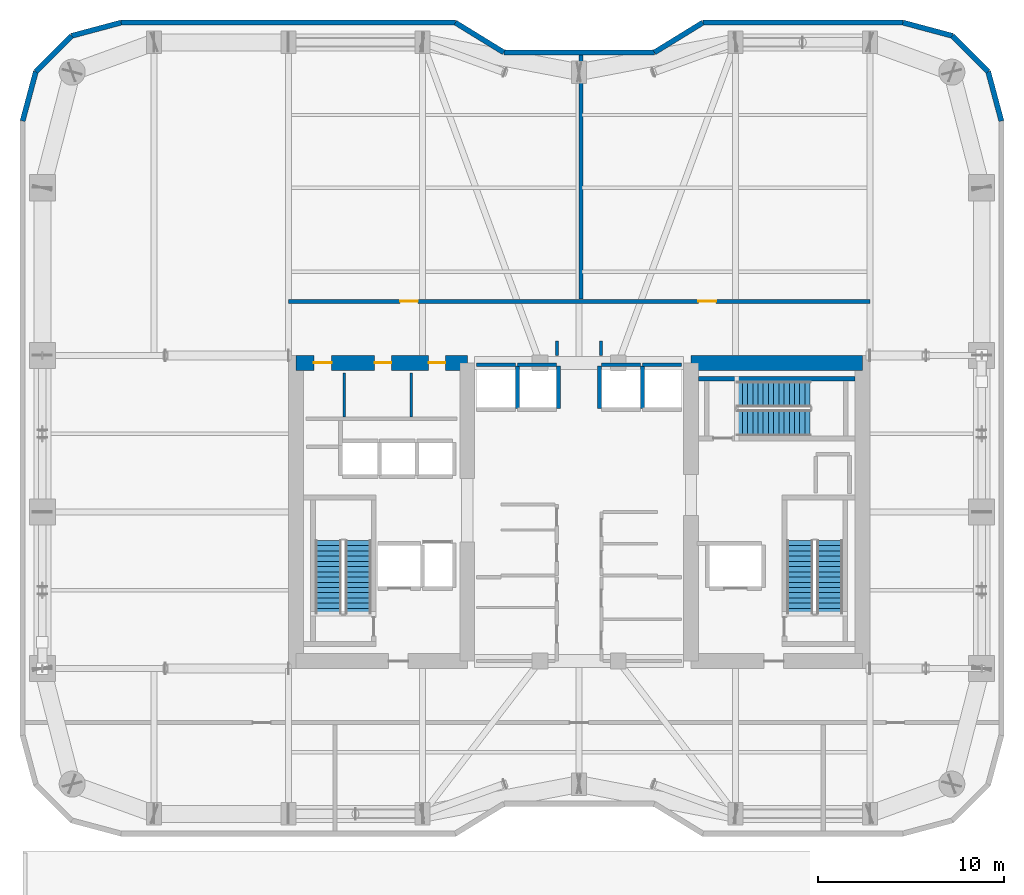
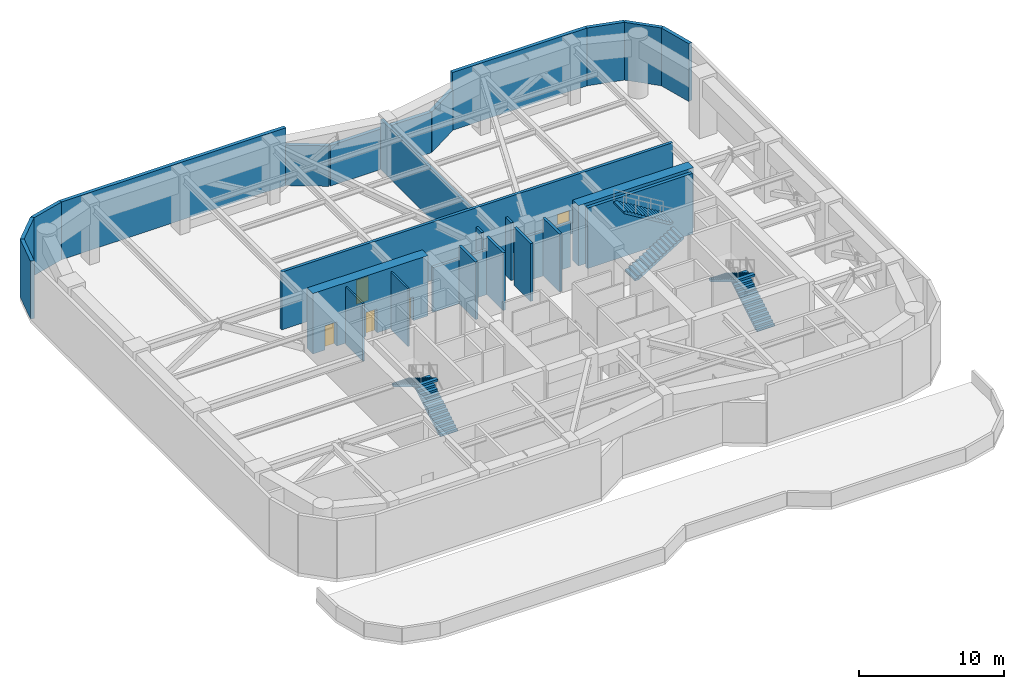
# One storey, part 14 of 16: 28 walls, 6 stair flights, 5 doors, 5 openings, 3 elements without a shape of their own.
"""IFC4 building model written with IfcOpenShell, lengths in metres."""

from ifc_helpers import new_model, si_unit, direction, frame, frame_2d, origin, place, context, subcontext, project, spatial, polyline, rectangle, outline, extrude, material, layer, layer_set, type_object, element, fill, aggregate, save


model = new_model("IFC4")

# Units and contexts
model_context = context("Model", 3, precision=1e-05, world=origin(), true_north=direction((0.0, 1.0)))
body_context = subcontext(model_context, "Body", "Model", "MODEL_VIEW")
ifc_project = project(units=[si_unit("LENGTHUNIT", "METRE"), si_unit("AREAUNIT", "SQUARE_METRE"), si_unit("VOLUMEUNIT", "CUBIC_METRE"), si_unit("PLANEANGLEUNIT", "RADIAN"), si_unit("MASSUNIT", "GRAM", prefix="KILO")], contexts=[model_context])

# Site, building, storey
site_placement = place(None, origin())
site = spatial("IfcSite", under=ifc_project, at=site_placement, CompositionType="ELEMENT")
building_placement = place(site_placement, origin())
building = spatial("IfcBuilding", under=site, at=building_placement, Name="Kiyonajd Concourse Tower", CompositionType="ELEMENT")
storey_placement = place(building_placement, frame((0.0, 0.0, 145.5)))
storey = spatial("IfcBuildingStorey", under=building, at=storey_placement, Name="L37", CompositionType="ELEMENT", Elevation=145.5)

# Wall, openings, doors
ifc_material_1 = material(Name="Concrete C70/85", Category="concrete")
ifc_layer_1 = layer(ifc_material_1, 0.800048828125)
ifc_layer_set_1 = layer_set([ifc_layer_1], Name="Concrete C70/85")
wall_type_1 = type_object("IfcWallType", Name="WL-CORE-800", PredefinedType="SHEAR", material=ifc_layer_set_1)
wall_1_placement = place(storey_placement, frame((32.800048828125, 44.0, 0.0), z_axis=(0.0, 0.0, 1.0), x_axis=(1.0, 0.0, 0.0)))
wall_1 = element("IfcWall", 1, at=wall_1_placement, inside=storey, type_object=wall_type_1, Name="L37 West Core North Shear Wall", PredefinedType="SHEAR", context=body_context, shape_type="SweptSolid", body=[
    extrude(rectangle(XDim=9.199951171875, YDim=0.800048828125, at=frame_2d((4.60009765625, 0.0))), origin(), (0.0, 0.0, 1.0), 5.10009765625),
])
opening_1_placement = place(wall_1_placement, frame((0.97509765625, 0.0, 0.0)))
opening_1 = element("IfcOpeningElement", 2, at=opening_1_placement, cuts=wall_1, Name="Opening DI1", PredefinedType="OPENING", context=body_context, shape_type="SweptSolid", body=[
    extrude(rectangle(XDim=0.949951171875, YDim=2.0400390625, at=frame_2d((0.47509765625, 1.02001953125))), frame((0.0, 0.409912109375, 0.0), z_axis=(0.0, -1.0, 0.0), x_axis=(1.0, 0.0, 0.0)), (0.0, 0.0, 1.0), 0.820068359375),
])
opening_2_placement = place(wall_1_placement, frame((4.22509765625, 0.0, 0.0)))
opening_2 = element("IfcOpeningElement", 3, at=opening_2_placement, cuts=wall_1, Name="Opening DI2", PredefinedType="OPENING", context=body_context, shape_type="SweptSolid", body=[
    extrude(rectangle(XDim=0.89990234375, YDim=2.02001953125, at=frame_2d((0.449951171875, 1.010009765625))), frame((0.0, 0.409912109375, 0.0), z_axis=(0.0, -1.0, 0.0), x_axis=(1.0, 0.0, 0.0)), (0.0, 0.0, 1.0), 0.820068359375),
])
opening_3_placement = place(wall_1_placement, frame((7.125, 0.0, 0.0)))
opening_3 = element("IfcOpeningElement", 4, at=opening_3_placement, cuts=wall_1, Name="Opening DI2", PredefinedType="OPENING", context=body_context, shape_type="SweptSolid", body=[
    extrude(rectangle(XDim=0.89990234375, YDim=2.02001953125, at=frame_2d((0.449951171875, 1.010009765625))), frame((0.0, 0.409912109375, 0.0), z_axis=(0.0, -1.0, 0.0), x_axis=(1.0, 0.0, 0.0)), (0.0, 0.0, 1.0), 0.820068359375),
])
ifc_material_2 = material(Name="Natural Oak Acoustic Timber Veneer", Category="wood")
door_type_1 = type_object("IfcDoorType", Name="DR-INT-900", OperationType="NOTDEFINED", PredefinedType="DOOR", material=ifc_material_2)
door_1_placement = place(opening_2_placement, origin())
door_1 = element("IfcDoor", 5, at=door_1_placement, inside=storey, type_object=door_type_1, Name="L37 Male Restroom Door", OperationType="SINGLE_SWING_RIGHT", OverallHeight=2.02001953125, OverallWidth=0.89990234375, PredefinedType="DOOR", context=body_context, shape_type="SweptSolid", body=[
    extrude(rectangle(XDim=0.89990234375, YDim=2.02001953125, at=frame_2d((0.449951171875, 1.010009765625))), frame((0.0, 0.02490234375, 0.0), z_axis=(0.0, -1.0, 0.0), x_axis=(1.0, 0.0, 0.0)), (0.0, 0.0, 1.0), 0.050048828125),
])
fill(opening_2, door_1)
door_2_placement = place(opening_3_placement, origin())
door_2 = element("IfcDoor", 6, at=door_2_placement, inside=storey, type_object=door_type_1, Name="L37 Female Restroom Door", OperationType="SINGLE_SWING_LEFT", OverallHeight=2.02001953125, OverallWidth=0.89990234375, PredefinedType="DOOR", context=body_context, shape_type="SweptSolid", body=[
    extrude(rectangle(XDim=0.89990234375, YDim=2.02001953125, at=frame_2d((0.449951171875, 1.010009765625))), frame((0.0, 0.02490234375, 0.0), z_axis=(0.0, -1.0, 0.0), x_axis=(1.0, 0.0, 0.0)), (0.0, 0.0, 1.0), 0.050048828125),
])
fill(opening_3, door_2)
door_type_2 = type_object("IfcDoorType", Name="DR-INT-950", OperationType="NOTDEFINED", PredefinedType="DOOR", material=ifc_material_2)
door_3_placement = place(opening_1_placement, origin())
door_3 = element("IfcDoor", 7, at=door_3_placement, inside=storey, type_object=door_type_2, Name="L37 Single User Accessible WC Door", OperationType="SINGLE_SWING_LEFT", OverallHeight=2.0400390625, OverallWidth=0.949951171875, PredefinedType="DOOR", context=body_context, shape_type="SweptSolid", body=[
    extrude(rectangle(XDim=0.949951171875, YDim=2.0400390625, at=frame_2d((0.47509765625, 1.02001953125))), frame((0.0, 0.02490234375, 0.0), z_axis=(0.0, -1.0, 0.0), x_axis=(1.0, 0.0, 0.0)), (0.0, 0.0, 1.0), 0.050048828125),
])
fill(opening_1, door_3)

# Walls
wall_2_placement = place(storey_placement, frame((54.0, 44.0, 0.0), z_axis=(0.0, 0.0, 1.0), x_axis=(1.0, 0.0, 0.0)))
element("IfcWall", 8, at=wall_2_placement, inside=storey, type_object=wall_type_1, Name="L37 East Core North Shear Wall", PredefinedType="SHEAR", context=body_context, shape_type="SweptSolid", body=[
    extrude(rectangle(XDim=9.199951171875, YDim=0.800048828125, at=frame_2d((4.60009765625, 0.0))), origin(), (0.0, 0.0, 1.0), 5.10009765625),
])
ifc_material_3 = material(Name="Precast concrete C50/60", Category="concrete")
ifc_layer_2 = layer(ifc_material_3, 0.280029296875)
ifc_layer_set_2 = layer_set([ifc_layer_2], Name="Precast concrete C50/60")
wall_type_2 = type_object("IfcWallType", Name="WL-EXT-280", PredefinedType="SOLIDWALL", material=ifc_layer_set_2)
wall_3_placement = place(storey_placement, frame((18.139892578125, 56.981689453125, 0.0), z_axis=(0.0, 0.0, 1.0), x_axis=(0.258672222976, 0.9659651552, 0.0)))
element("IfcWall", 9, at=wall_3_placement, inside=storey, type_object=wall_type_2, Name="L37 Exterior Concrete Frame Wall 01", PredefinedType="SOLIDWALL", context=body_context, shape_type="SweptSolid", body=[
    extrude(rectangle(XDim=2.739013671875, YDim=0.280029296875, at=frame_2d((1.36962890625, 0.0))), origin(), (0.0, 0.0, 1.0), 4.8798828125),
])
wall_4_placement = place(storey_placement, frame((18.848388671875, 59.62744140625, 0.0), z_axis=(0.0, 0.0, 1.0), x_axis=(0.707106781187, 0.707106781187, 0.0)))
element("IfcWall", 10, at=wall_4_placement, inside=storey, type_object=wall_type_2, Name="L37 Exterior Concrete Frame Wall 02", PredefinedType="SOLIDWALL", context=body_context, shape_type="SweptSolid", body=[
    extrude(rectangle(XDim=2.720947265625, YDim=0.280029296875, at=frame_2d((1.3603515625, 0.0))), origin(), (0.0, 0.0, 1.0), 4.8798828125),
])
wall_5_placement = place(storey_placement, frame((20.7724609375, 61.551513671875, 0.0), z_axis=(0.0, 0.0, 1.0), x_axis=(0.965971118627, 0.258649952598, 0.0)))
element("IfcWall", 11, at=wall_5_placement, inside=storey, type_object=wall_type_2, Name="L37 Exterior Concrete Frame Wall 03", PredefinedType="SOLIDWALL", context=body_context, shape_type="SweptSolid", body=[
    extrude(rectangle(XDim=2.7392578125, YDim=0.280029296875, at=frame_2d((1.36962890625, 0.0))), origin(), (0.0, 0.0, 1.0), 4.8798828125),
])
wall_6_placement = place(storey_placement, frame((23.41845703125, 62.260009765625, 0.0), z_axis=(0.0, 0.0, 1.0), x_axis=(1.0, 0.0, 0.0)))
element("IfcWall", 12, at=wall_6_placement, inside=storey, type_object=wall_type_2, Name="L37 Exterior Concrete Frame Wall 04", PredefinedType="SOLIDWALL", context=body_context, shape_type="SweptSolid", body=[
    extrude(rectangle(XDim=17.94189453125, YDim=0.280029296875, at=frame_2d((8.970947265625, 0.0))), origin(), (0.0, 0.0, 1.0), 4.8798828125),
])
wall_7_placement = place(storey_placement, frame((41.3603515625, 62.260009765625, 0.0), z_axis=(0.0, 0.0, 1.0), x_axis=(0.851652825334, -0.524106349037, 0.0)))
element("IfcWall", 13, at=wall_7_placement, inside=storey, type_object=wall_type_2, Name="L37 Exterior Concrete Frame Wall 05", PredefinedType="SOLIDWALL", context=body_context, shape_type="SweptSolid", body=[
    extrude(rectangle(XDim=3.052978515625, YDim=0.280029296875, at=frame_2d((1.5263671875, 0.0))), origin(), (0.0, 0.0, 1.0), 3.4150390625),
])
wall_8_placement = place(storey_placement, frame((43.96044921875, 60.659912109375, 0.0), z_axis=(0.0, 0.0, 1.0), x_axis=(1.0, 0.0, 0.0)))
element("IfcWall", 14, at=wall_8_placement, inside=storey, type_object=wall_type_2, Name="L37 Exterior Concrete Frame Wall 06", PredefinedType="SOLIDWALL", context=body_context, shape_type="SweptSolid", body=[
    extrude(rectangle(XDim=8.0791015625, YDim=0.280029296875, at=frame_2d((4.03955078125, 0.0))), origin(), (0.0, 0.0, 1.0), 3.4150390625),
])
wall_9_placement = place(storey_placement, frame((52.03955078125, 60.659912109375, 0.0), z_axis=(0.0, 0.0, 1.0), x_axis=(0.851652825334, 0.524106349037, 0.0)))
element("IfcWall", 15, at=wall_9_placement, inside=storey, type_object=wall_type_2, Name="L37 Exterior Concrete Frame Wall 07", PredefinedType="SOLIDWALL", context=body_context, shape_type="SweptSolid", body=[
    extrude(rectangle(XDim=3.052978515625, YDim=0.280029296875, at=frame_2d((1.5263671875, 0.0))), origin(), (0.0, 0.0, 1.0), 3.4150390625),
])
wall_10_placement = place(storey_placement, frame((54.6396484375, 62.260009765625, 0.0), z_axis=(0.0, 0.0, 1.0), x_axis=(1.0, 0.0, 0.0)))
element("IfcWall", 16, at=wall_10_placement, inside=storey, type_object=wall_type_2, Name="L37 Exterior Concrete Frame Wall 08", PredefinedType="SOLIDWALL", context=body_context, shape_type="SweptSolid", body=[
    extrude(rectangle(XDim=10.741943359375, YDim=0.280029296875, at=frame_2d((5.37109375, 0.0))), origin(), (0.0, 0.0, 1.0), 4.8798828125),
])
wall_11_placement = place(storey_placement, frame((65.381591796875, 62.260009765625, 0.0), z_axis=(0.0, 0.0, 1.0), x_axis=(0.965971118627, -0.258649952598, 0.0)))
element("IfcWall", 17, at=wall_11_placement, inside=storey, type_object=wall_type_2, Name="L37 Exterior Concrete Frame Wall 09", PredefinedType="SOLIDWALL", context=body_context, shape_type="SweptSolid", body=[
    extrude(rectangle(XDim=2.7392578125, YDim=0.280029296875, at=frame_2d((1.36962890625, 0.0))), origin(), (0.0, 0.0, 1.0), 4.8798828125),
])
wall_12_placement = place(storey_placement, frame((68.027587890625, 61.551513671875, 0.0), z_axis=(0.0, 0.0, 1.0), x_axis=(0.707061915429, -0.707151644098, 0.0)))
element("IfcWall", 18, at=wall_12_placement, inside=storey, type_object=wall_type_2, Name="L37 Exterior Concrete Frame Wall 10", PredefinedType="SOLIDWALL", context=body_context, shape_type="SweptSolid", body=[
    extrude(rectangle(XDim=2.720947265625, YDim=0.280029296875, at=frame_2d((1.3603515625, 0.0))), origin(), (0.0, 0.0, 1.0), 4.8798828125),
])
wall_13_placement = place(storey_placement, frame((69.951416015625, 59.62744140625, 0.0), z_axis=(0.0, 0.0, 1.0), x_axis=(0.258672222976, -0.9659651552, 0.0)))
element("IfcWall", 19, at=wall_13_placement, inside=storey, type_object=wall_type_2, Name="L37 Exterior Concrete Frame Wall 11", PredefinedType="SOLIDWALL", context=body_context, shape_type="SweptSolid", body=[
    extrude(rectangle(XDim=2.739013671875, YDim=0.280029296875, at=frame_2d((1.36962890625, 0.0))), origin(), (0.0, 0.0, 1.0), 4.8798828125),
])

# Wall, openings, doors
ifc_material_4 = material(Name="Gypsum Board on Cold-Formed Steel Stud", Category="steel")
ifc_layer_3 = layer(ifc_material_4, 0.22998046875)
ifc_layer_set_3 = layer_set([ifc_layer_3], Name="Gypsum Board on Cold-Formed Steel Stud")
wall_type_3 = type_object("IfcWallType", Name="WL-FIRE-230", PredefinedType="PARTITIONING", material=ifc_layer_set_3)
wall_14_placement = place(storey_placement, frame((32.39990234375, 47.300048828125, 0.0), z_axis=(0.0, 0.0, 1.0), x_axis=(1.0, 0.0, 0.0)))
wall_14 = element("IfcWall", 20, at=wall_14_placement, inside=storey, type_object=wall_type_3, Name="L37 Interior Partition Wall", PredefinedType="PARTITIONING", context=body_context, shape_type="SweptSolid", body=[
    extrude(rectangle(XDim=31.2001953125, YDim=0.22998046875, at=frame_2d((15.60009765625, 0.0))), origin(), (0.0, 0.0, 1.0), 4.8798828125),
])
opening_4_placement = place(wall_14_placement, frame((6.0, 0.0, 0.0)))
opening_4 = element("IfcOpeningElement", 21, at=opening_4_placement, cuts=wall_14, Name="Opening DF3", PredefinedType="OPENING", context=body_context, shape_type="SweptSolid", body=[
    extrude(rectangle(XDim=0.949951171875, YDim=2.0400390625, at=frame_2d((0.47509765625, 1.02001953125))), frame((0.0, 0.125, 0.0), z_axis=(0.0, -1.0, 0.0), x_axis=(1.0, 0.0, 0.0)), (0.0, 0.0, 1.0), 0.25),
])
opening_5_placement = place(wall_14_placement, frame((22.0, 0.0, 0.0)))
opening_5 = element("IfcOpeningElement", 22, at=opening_5_placement, cuts=wall_14, Name="Opening DF3", PredefinedType="OPENING", context=body_context, shape_type="SweptSolid", body=[
    extrude(rectangle(XDim=0.949951171875, YDim=2.0400390625, at=frame_2d((0.47509765625, 1.02001953125))), frame((0.0, 0.125, 0.0), z_axis=(0.0, -1.0, 0.0), x_axis=(1.0, 0.0, 0.0)), (0.0, 0.0, 1.0), 0.25),
])
ifc_material_5 = material(Name="Brushed Stainless Steel Cab Assembly", Category="steel")
door_type_3 = type_object("IfcDoorType", Name="DR-FD60-950", OperationType="NOTDEFINED", PredefinedType="DOOR", material=ifc_material_5)
door_4_placement = place(opening_4_placement, origin())
door_4 = element("IfcDoor", 23, at=door_4_placement, inside=storey, type_object=door_type_3, Name="L37 Interior Door", OperationType="SINGLE_SWING_LEFT", OverallHeight=2.0400390625, OverallWidth=0.949951171875, PredefinedType="DOOR", context=body_context, shape_type="SweptSolid", body=[
    extrude(rectangle(XDim=0.949951171875, YDim=2.0400390625, at=frame_2d((0.47509765625, 1.02001953125))), frame((0.0, 0.02490234375, 0.0), z_axis=(0.0, -1.0, 0.0), x_axis=(1.0, 0.0, 0.0)), (0.0, 0.0, 1.0), 0.050048828125),
])
fill(opening_4, door_4)
door_5_placement = place(opening_5_placement, origin())
door_5 = element("IfcDoor", 24, at=door_5_placement, inside=storey, type_object=door_type_3, Name="L37 Interior Door", OperationType="SINGLE_SWING_RIGHT", OverallHeight=2.0400390625, OverallWidth=0.949951171875, PredefinedType="DOOR", context=body_context, shape_type="SweptSolid", body=[
    extrude(rectangle(XDim=0.949951171875, YDim=2.0400390625, at=frame_2d((0.47509765625, 1.02001953125))), frame((0.0, 0.02490234375, 0.0), z_axis=(0.0, -1.0, 0.0), x_axis=(1.0, 0.0, 0.0)), (0.0, 0.0, 1.0), 0.050048828125),
])
fill(opening_5, door_5)

# Walls
wall_15_placement = place(storey_placement, frame((48.10009765625, 47.4169921875, 0.0), z_axis=(0.0, 0.0, 1.0), x_axis=(0.0, 1.0, 0.0)))
element("IfcWall", 25, at=wall_15_placement, inside=storey, type_object=wall_type_3, Name="L37 Interior Partition Wall", PredefinedType="PARTITIONING", context=body_context, shape_type="SweptSolid", body=[
    extrude(rectangle(XDim=13.10791015625, YDim=0.22998046875, at=frame_2d((6.553955078125, 0.0))), origin(), (0.0, 0.0, 1.0), 4.242919921875),
])
ifc_layer_4 = layer(ifc_material_4, 0.125)
ifc_layer_set_4 = layer_set([ifc_layer_4], Name="Gypsum Board on Cold-Formed Steel Stud")
wall_type_4 = type_object("IfcWallType", Name="WL-PART-125", PredefinedType="PARTITIONING", material=ifc_layer_set_4)
for number, where, z_axis, x_axis, name in (
    (26, (35.39990234375, 41.094970703125, 0.0), (0.0, 0.0, 1.0), (0.0, 1.0, 0.0), "L37 Interior Partition Wall"),
    (27, (39.0, 41.094970703125, 0.0), (0.0, 0.0, 1.0), (0.0, 1.0, 0.0), "L37 Interior Partition Wall"),
):
    element("IfcWall", number, at=place(storey_placement, frame(where, z_axis=z_axis, x_axis=x_axis)), inside=storey, type_object=wall_type_4, Name=name, PredefinedType="PARTITIONING", context=body_context, shape_type="SweptSolid", body=[
        extrude(rectangle(XDim=2.35498046875, YDim=0.125, at=frame_2d((1.177490234375, 0.0))), origin(), (0.0, 0.0, 1.0), 4.8798828125),
    ])
ifc_layer_5 = layer(ifc_material_4, 0.2099609375)
ifc_layer_set_5 = layer_set([ifc_layer_5], Name="Gypsum Board on Cold-Formed Steel Stud")
wall_type_5 = type_object("IfcWallType", Name="WL-SHAFT-210", PredefinedType="PARTITIONING", material=ifc_layer_set_5)
wall_16_placement = place(storey_placement, frame((42.5, 43.89990234375, 0.0), z_axis=(0.0, 0.0, 1.0), x_axis=(1.0, 0.0, 0.0)))
element("IfcWall", 28, at=wall_16_placement, inside=storey, type_object=wall_type_5, Name="L37 Shaft Enclosure Wall", PredefinedType="PARTITIONING", context=body_context, shape_type="SweptSolid", body=[
    extrude(rectangle(XDim=2.10009765625, YDim=0.2099609375, at=frame_2d((1.050048828125, 0.0))), origin(), (0.0, 0.0, 1.0), 3.764892578125),
])
wall_17_placement = place(storey_placement, frame((44.699951171875, 41.56005859375, 0.0), z_axis=(0.0, 0.0, 1.0), x_axis=(0.0, 1.0, 0.0)))
element("IfcWall", 29, at=wall_17_placement, inside=storey, type_object=wall_type_5, Name="L37 Shaft Enclosure Wall", PredefinedType="PARTITIONING", context=body_context, shape_type="SweptSolid", body=[
    extrude(rectangle(XDim=2.280029296875, YDim=0.2099609375, at=frame_2d((1.14013671875, 0.0))), origin(), (0.0, 0.0, 1.0), 4.8798828125),
])
wall_18_placement = place(storey_placement, frame((44.699951171875, 43.89990234375, 0.0), z_axis=(0.0, 0.0, 1.0), x_axis=(1.0, 0.0, 0.0)))
element("IfcWall", 30, at=wall_18_placement, inside=storey, type_object=wall_type_5, Name="L37 Shaft Enclosure Wall", PredefinedType="PARTITIONING", context=body_context, shape_type="SweptSolid", body=[
    extrude(rectangle(XDim=2.10009765625, YDim=0.2099609375, at=frame_2d((1.050048828125, 0.0))), origin(), (0.0, 0.0, 1.0), 3.764892578125),
])
wall_19_placement = place(storey_placement, frame((46.89990234375, 41.56005859375, 0.0), z_axis=(0.0, 0.0, 1.0), x_axis=(0.0, 1.0, 0.0)))
element("IfcWall", 31, at=wall_19_placement, inside=storey, type_object=wall_type_5, Name="L37 Shaft Enclosure Wall", PredefinedType="PARTITIONING", context=body_context, shape_type="SweptSolid", body=[
    extrude(rectangle(XDim=2.280029296875, YDim=0.2099609375, at=frame_2d((1.14013671875, 0.0))), origin(), (0.0, 0.0, 1.0), 4.8798828125),
])
wall_20_placement = place(storey_placement, frame((49.199951171875, 43.89990234375, 0.0), z_axis=(0.0, 0.0, 1.0), x_axis=(1.0, 0.0, 0.0)))
element("IfcWall", 32, at=wall_20_placement, inside=storey, type_object=wall_type_5, Name="L37 Shaft Enclosure Wall", PredefinedType="PARTITIONING", context=body_context, shape_type="SweptSolid", body=[
    extrude(rectangle(XDim=2.10009765625, YDim=0.2099609375, at=frame_2d((1.050048828125, 0.0))), origin(), (0.0, 0.0, 1.0), 3.764892578125),
])
for number, where, z_axis, x_axis, name in (
    (33, (49.10009765625, 41.56005859375, 0.0), (0.0, 0.0, 1.0), (0.0, 1.0, 0.0), "L37 Shaft Enclosure Wall"),
    (34, (51.39990234375, 41.56005859375, 0.0), (0.0, 0.0, 1.0), (0.0, 1.0, 0.0), "L37 Shaft Enclosure Wall"),
):
    element("IfcWall", number, at=place(storey_placement, frame(where, z_axis=z_axis, x_axis=x_axis)), inside=storey, type_object=wall_type_5, Name=name, PredefinedType="PARTITIONING", context=body_context, shape_type="SweptSolid", body=[
        extrude(rectangle(XDim=2.280029296875, YDim=0.2099609375, at=frame_2d((1.14013671875, 0.0))), origin(), (0.0, 0.0, 1.0), 4.8798828125),
    ])
wall_21_placement = place(storey_placement, frame((51.39990234375, 43.89990234375, 0.0), z_axis=(0.0, 0.0, 1.0), x_axis=(1.0, 0.0, 0.0)))
element("IfcWall", 35, at=wall_21_placement, inside=storey, type_object=wall_type_5, Name="L37 Shaft Enclosure Wall", PredefinedType="PARTITIONING", context=body_context, shape_type="SweptSolid", body=[
    extrude(rectangle(XDim=2.10009765625, YDim=0.2099609375, at=frame_2d((1.050048828125, 0.0))), origin(), (0.0, 0.0, 1.0), 3.764892578125),
])
ifc_layer_6 = layer(ifc_material_4, 0.169921875)
ifc_layer_set_6 = layer_set([ifc_layer_6], Name="Gypsum Board on Cold-Formed Steel Stud")
wall_type_6 = type_object("IfcWallType", Name="WL-SMK-170", PredefinedType="PARTITIONING", material=ifc_layer_set_6)
for number, where, z_axis, x_axis, name in (
    (36, (46.820068359375, 44.39990234375, 0.0), (0.0, 0.0, 1.0), (0.0, 1.0, 0.0), "L37 Interior Partition Wall"),
    (37, (49.179931640625, 44.39990234375, 0.0), (0.0, 0.0, 1.0), (0.0, 1.0, 0.0), "L37 Interior Partition Wall"),
):
    element("IfcWall", number, at=place(storey_placement, frame(where, z_axis=z_axis, x_axis=x_axis)), inside=storey, type_object=wall_type_6, Name=name, PredefinedType="PARTITIONING", context=body_context, shape_type="SweptSolid", body=[
        extrude(rectangle(XDim=0.780029296875, YDim=0.169921875, at=frame_2d((0.39013671875, 0.0))), origin(), (0.0, 0.0, 1.0), 4.8798828125),
    ])
ifc_material_6 = material(Name="Concrete C50/60", Category="concrete")
ifc_layer_7 = layer(ifc_material_6, 0.260009765625)
ifc_layer_set_7 = layer_set([ifc_layer_7], Name="Concrete C50/60")
wall_type_7 = type_object("IfcWallType", Name="WL-STAIR-260", PredefinedType="SHEAR", material=ifc_layer_set_7)
wall_22_placement = place(storey_placement, frame((54.39990234375, 43.14990234375, 0.0), z_axis=(0.0, 0.0, 1.0), x_axis=(1.0, 0.0, 0.0)))
element("IfcWall", 38, at=wall_22_placement, inside=storey, type_object=wall_type_7, Name="L37 Stair ST3 Structural North Wall", PredefinedType="SHEAR", context=body_context, shape_type="SweptSolid", body=[
    extrude(rectangle(XDim=8.400146484375, YDim=0.260009765625, at=frame_2d((4.2001953125, 0.0))), origin(), (0.0, 0.0, 1.0), 5.10009765625),
])

# Stair, stair flights
ifc_material_7 = material(Name="Concrete C40/50", Category="concrete")
stair_type = type_object("IfcStairType", Name="ST-DLG-30R", PredefinedType="HALF_TURN_STAIR", material=ifc_material_7)
stair_1_placement = place(storey_placement, origin())
stair_1 = element("IfcStair", 39, at=stair_1_placement, inside=storey, type_object=stair_type, Name="L37 Protected Exit Stair ST1", PredefinedType="HALF_TURN_STAIR")
stair_flight_type = type_object("IfcStairFlightType", Name="SF-STR-30R", PredefinedType="STRAIGHT", material=ifc_material_7)
stair_flight_1_placement = place(storey_placement, frame((36.14990234375, 30.550048828125, 0.0), z_axis=(0.0, 0.0, 1.0), x_axis=(0.0, 1.0, 0.0)))
stair_flight_1 = element("IfcStairFlight", 40, at=stair_flight_1_placement, type_object=stair_flight_type, Name="ST1 flight 1", NumberOfRisers=15, NumberOfTreads=14, PredefinedType="STRAIGHT", RiserHeight=0.17, TreadLength=0.28, context=body_context, shape_type="SweptSolid", body=[
    extrude(outline(polyline([(0.0, 0.0), (0.0, 0.169921875), (0.280029296875, 0.169921875), (0.280029296875, 0.340087890625), (0.56005859375, 0.340087890625), (0.56005859375, 0.510009765625), (0.840087890625, 0.510009765625), (0.840087890625, 0.679931640625), (1.1201171875, 0.679931640625), (1.1201171875, 0.85009765625), (1.39990234375, 0.85009765625), (1.39990234375, 1.02001953125), (1.679931640625, 1.02001953125), (1.679931640625, 1.18994140625), (1.9599609375, 1.18994140625), (1.9599609375, 1.360107421875), (2.239990234375, 1.360107421875), (2.239990234375, 1.530029296875), (2.52001953125, 1.530029296875), (2.52001953125, 1.699951171875), (2.800048828125, 1.699951171875), (2.800048828125, 1.8701171875), (3.080078125, 1.8701171875), (3.080078125, 2.0400390625), (3.360107421875, 2.0400390625), (3.360107421875, 2.2099609375), (3.639892578125, 2.2099609375), (3.639892578125, 2.3798828125), (3.919921875, 2.3798828125), (3.919921875, 2.550048828125), (3.919921875, 2.20458984375), (0.288818359375, 0.0), (0.0, 0.0)])), frame((0.0, 0.699951171875, 0.0), z_axis=(0.0, -1.0, 0.0), x_axis=(1.0, 0.0, 0.0)), (0.0, 0.0, 1.0), 1.39990234375),
])
stair_flight_2_placement = place(storey_placement, frame((34.550048828125, 34.469970703125, 2.550048828125), z_axis=(0.0, 0.0, 1.0), x_axis=(0.0, -1.0, 0.0)))
stair_flight_2 = element("IfcStairFlight", 41, at=stair_flight_2_placement, type_object=stair_flight_type, Name="ST1 flight 2", NumberOfRisers=15, NumberOfTreads=14, PredefinedType="STRAIGHT", RiserHeight=0.17, TreadLength=0.28, context=body_context, shape_type="SweptSolid", body=[
    extrude(outline(polyline([(0.0, 0.0), (0.0, 0.169921875), (0.280029296875, 0.169921875), (0.280029296875, 0.340087890625), (0.56005859375, 0.340087890625), (0.56005859375, 0.510009765625), (0.840087890625, 0.510009765625), (0.840087890625, 0.679931640625), (1.1201171875, 0.679931640625), (1.1201171875, 0.85009765625), (1.39990234375, 0.85009765625), (1.39990234375, 1.02001953125), (1.679931640625, 1.02001953125), (1.679931640625, 1.18994140625), (1.9599609375, 1.18994140625), (1.9599609375, 1.360107421875), (2.239990234375, 1.360107421875), (2.239990234375, 1.530029296875), (2.52001953125, 1.530029296875), (2.52001953125, 1.699951171875), (2.800048828125, 1.699951171875), (2.800048828125, 1.8701171875), (3.080078125, 1.8701171875), (3.080078125, 2.0400390625), (3.360107421875, 2.0400390625), (3.360107421875, 2.2099609375), (3.639892578125, 2.2099609375), (3.639892578125, 2.3798828125), (3.919921875, 2.3798828125), (3.919921875, 2.550048828125), (3.919921875, 2.20458984375), (0.288818359375, 0.0), (0.0, 0.0)])), frame((0.0, 0.699951171875, 0.0), z_axis=(0.0, -1.0, 0.0), x_axis=(1.0, 0.0, 0.0)), (0.0, 0.0, 1.0), 1.39990234375),
])
aggregate(stair_1, [stair_flight_1, stair_flight_2])

stair_2_placement = place(storey_placement, origin())
stair_2 = element("IfcStair", 42, at=stair_2_placement, inside=storey, type_object=stair_type, Name="L37 Protected Exit Stair ST2", PredefinedType="HALF_TURN_STAIR")
stair_flight_3_placement = place(storey_placement, frame((61.449951171875, 30.550048828125, 0.0), z_axis=(0.0, 0.0, 1.0), x_axis=(0.0, 1.0, 0.0)))
stair_flight_3 = element("IfcStairFlight", 43, at=stair_flight_3_placement, type_object=stair_flight_type, Name="ST2 flight 1", NumberOfRisers=15, NumberOfTreads=14, PredefinedType="STRAIGHT", RiserHeight=0.17, TreadLength=0.28, context=body_context, shape_type="SweptSolid", body=[
    extrude(outline(polyline([(0.0, 0.0), (0.0, 0.169921875), (0.280029296875, 0.169921875), (0.280029296875, 0.340087890625), (0.56005859375, 0.340087890625), (0.56005859375, 0.510009765625), (0.840087890625, 0.510009765625), (0.840087890625, 0.679931640625), (1.1201171875, 0.679931640625), (1.1201171875, 0.85009765625), (1.39990234375, 0.85009765625), (1.39990234375, 1.02001953125), (1.679931640625, 1.02001953125), (1.679931640625, 1.18994140625), (1.9599609375, 1.18994140625), (1.9599609375, 1.360107421875), (2.239990234375, 1.360107421875), (2.239990234375, 1.530029296875), (2.52001953125, 1.530029296875), (2.52001953125, 1.699951171875), (2.800048828125, 1.699951171875), (2.800048828125, 1.8701171875), (3.080078125, 1.8701171875), (3.080078125, 2.0400390625), (3.360107421875, 2.0400390625), (3.360107421875, 2.2099609375), (3.639892578125, 2.2099609375), (3.639892578125, 2.3798828125), (3.919921875, 2.3798828125), (3.919921875, 2.550048828125), (3.919921875, 2.20458984375), (0.288818359375, 0.0), (0.0, 0.0)])), frame((0.0, 0.699951171875, 0.0), z_axis=(0.0, -1.0, 0.0), x_axis=(1.0, 0.0, 0.0)), (0.0, 0.0, 1.0), 1.39990234375),
])
stair_flight_4_placement = place(storey_placement, frame((59.85009765625, 34.469970703125, 2.550048828125), z_axis=(0.0, 0.0, 1.0), x_axis=(0.0, -1.0, 0.0)))
stair_flight_4 = element("IfcStairFlight", 44, at=stair_flight_4_placement, type_object=stair_flight_type, Name="ST2 flight 2", NumberOfRisers=15, NumberOfTreads=14, PredefinedType="STRAIGHT", RiserHeight=0.17, TreadLength=0.28, context=body_context, shape_type="SweptSolid", body=[
    extrude(outline(polyline([(0.0, 0.0), (0.0, 0.169921875), (0.280029296875, 0.169921875), (0.280029296875, 0.340087890625), (0.56005859375, 0.340087890625), (0.56005859375, 0.510009765625), (0.840087890625, 0.510009765625), (0.840087890625, 0.679931640625), (1.1201171875, 0.679931640625), (1.1201171875, 0.85009765625), (1.39990234375, 0.85009765625), (1.39990234375, 1.02001953125), (1.679931640625, 1.02001953125), (1.679931640625, 1.18994140625), (1.9599609375, 1.18994140625), (1.9599609375, 1.360107421875), (2.239990234375, 1.360107421875), (2.239990234375, 1.530029296875), (2.52001953125, 1.530029296875), (2.52001953125, 1.699951171875), (2.800048828125, 1.699951171875), (2.800048828125, 1.8701171875), (3.080078125, 1.8701171875), (3.080078125, 2.0400390625), (3.360107421875, 2.0400390625), (3.360107421875, 2.2099609375), (3.639892578125, 2.2099609375), (3.639892578125, 2.3798828125), (3.919921875, 2.3798828125), (3.919921875, 2.550048828125), (3.919921875, 2.20458984375), (0.288818359375, 0.0), (0.0, 0.0)])), frame((0.0, 0.699951171875, 0.0), z_axis=(0.0, -1.0, 0.0), x_axis=(1.0, 0.0, 0.0)), (0.0, 0.0, 1.0), 1.39990234375),
])
aggregate(stair_2, [stair_flight_3, stair_flight_4])

stair_3_placement = place(storey_placement, origin())
stair_3 = element("IfcStair", 45, at=stair_3_placement, inside=storey, type_object=stair_type, Name="L37 Protected Exit Stair ST3", PredefinedType="HALF_TURN_STAIR")
stair_flight_5_placement = place(storey_placement, frame((56.47998046875, 40.780029296875, 0.0), z_axis=(0.0, 0.0, 1.0), x_axis=(1.0, 0.0, 0.0)))
stair_flight_5 = element("IfcStairFlight", 46, at=stair_flight_5_placement, type_object=stair_flight_type, Name="ST3 flight 1", NumberOfRisers=15, NumberOfTreads=14, PredefinedType="STRAIGHT", RiserHeight=0.17, TreadLength=0.28, context=body_context, shape_type="SweptSolid", body=[
    extrude(outline(polyline([(0.0, 0.0), (0.0, 0.169921875), (0.280029296875, 0.169921875), (0.280029296875, 0.340087890625), (0.56005859375, 0.340087890625), (0.56005859375, 0.510009765625), (0.840087890625, 0.510009765625), (0.840087890625, 0.679931640625), (1.1201171875, 0.679931640625), (1.1201171875, 0.85009765625), (1.39990234375, 0.85009765625), (1.39990234375, 1.02001953125), (1.679931640625, 1.02001953125), (1.679931640625, 1.18994140625), (1.9599609375, 1.18994140625), (1.9599609375, 1.360107421875), (2.239990234375, 1.360107421875), (2.239990234375, 1.530029296875), (2.52001953125, 1.530029296875), (2.52001953125, 1.699951171875), (2.800048828125, 1.699951171875), (2.800048828125, 1.8701171875), (3.080078125, 1.8701171875), (3.080078125, 2.0400390625), (3.360107421875, 2.0400390625), (3.360107421875, 2.2099609375), (3.639892578125, 2.2099609375), (3.639892578125, 2.3798828125), (3.919921875, 2.3798828125), (3.919921875, 2.550048828125), (3.919921875, 2.20458984375), (0.288818359375, 0.0), (0.0, 0.0)])), frame((0.0, 0.699951171875, 0.0), z_axis=(0.0, -1.0, 0.0), x_axis=(1.0, 0.0, 0.0)), (0.0, 0.0, 1.0), 1.39990234375),
])
stair_flight_6_placement = place(storey_placement, frame((60.39990234375, 42.320068359375, 2.550048828125), z_axis=(0.0, 0.0, 1.0), x_axis=(-1.0, 0.0, 0.0)))
stair_flight_6 = element("IfcStairFlight", 47, at=stair_flight_6_placement, type_object=stair_flight_type, Name="ST3 flight 2", NumberOfRisers=15, NumberOfTreads=14, PredefinedType="STRAIGHT", RiserHeight=0.17, TreadLength=0.28, context=body_context, shape_type="SweptSolid", body=[
    extrude(outline(polyline([(0.0, 0.0), (0.0, 0.169921875), (0.280029296875, 0.169921875), (0.280029296875, 0.340087890625), (0.56005859375, 0.340087890625), (0.56005859375, 0.510009765625), (0.840087890625, 0.510009765625), (0.840087890625, 0.679931640625), (1.1201171875, 0.679931640625), (1.1201171875, 0.85009765625), (1.39990234375, 0.85009765625), (1.39990234375, 1.02001953125), (1.679931640625, 1.02001953125), (1.679931640625, 1.18994140625), (1.9599609375, 1.18994140625), (1.9599609375, 1.360107421875), (2.239990234375, 1.360107421875), (2.239990234375, 1.530029296875), (2.52001953125, 1.530029296875), (2.52001953125, 1.699951171875), (2.800048828125, 1.699951171875), (2.800048828125, 1.8701171875), (3.080078125, 1.8701171875), (3.080078125, 2.0400390625), (3.360107421875, 2.0400390625), (3.360107421875, 2.2099609375), (3.639892578125, 2.2099609375), (3.639892578125, 2.3798828125), (3.919921875, 2.3798828125), (3.919921875, 2.550048828125), (3.919921875, 2.20458984375), (0.288818359375, 0.0), (0.0, 0.0)])), frame((0.0, 0.699951171875, 0.0), z_axis=(0.0, -1.0, 0.0), x_axis=(1.0, 0.0, 0.0)), (0.0, 0.0, 1.0), 1.39990234375),
])
aggregate(stair_3, [stair_flight_5, stair_flight_6])

save(model, "model.ifc")
